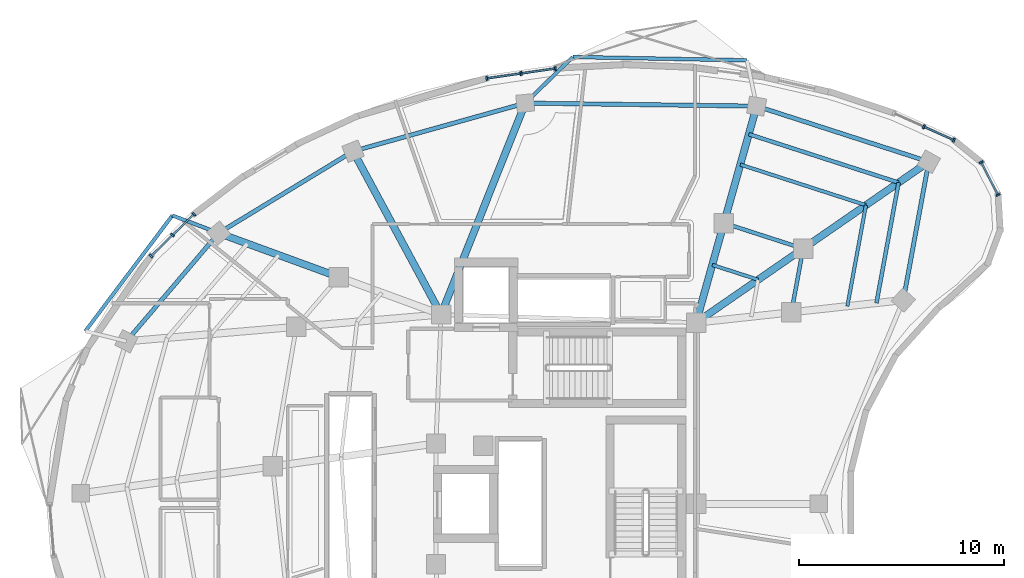
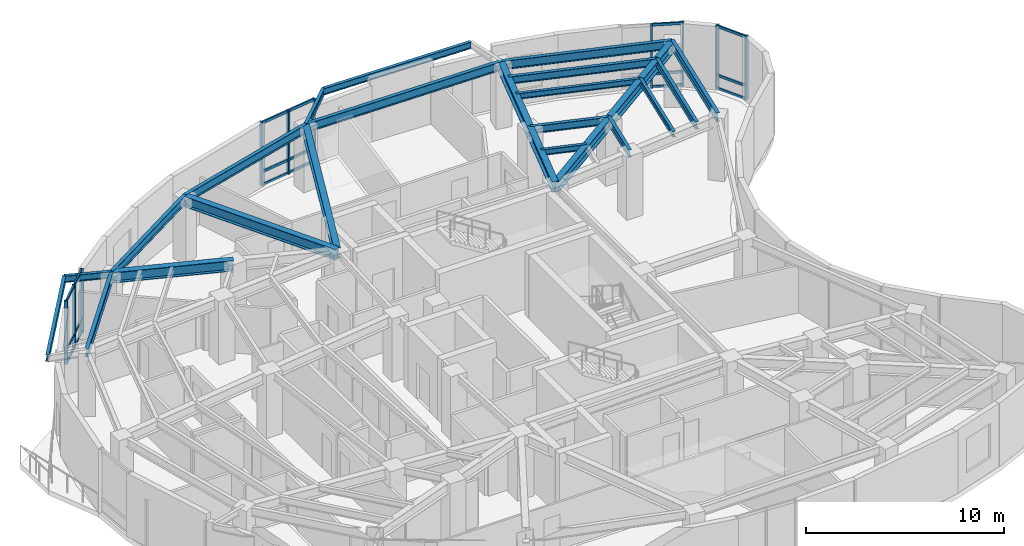
# One storey, part 5 of 14: 28 members, 24 beams, 4 elements without a shape of their own.
"""IFC4 building model written with IfcOpenShell, lengths in metres."""

from ifc_helpers import new_model, si_unit, direction, frame, origin, origin_2d, place, context, subcontext, project, spatial, rectangle, i_section, extrude, material, layer, layer_set, material_profile, profile_set, type_object, element, aggregate, save


model = new_model("IFC4")

# Units and contexts
model_context = context("Model", 3, precision=1e-05, world=origin(), true_north=direction((0.0, 1.0)))
body_context = subcontext(model_context, "Body", "Model", "MODEL_VIEW")
ifc_project = project(units=[si_unit("LENGTHUNIT", "METRE"), si_unit("AREAUNIT", "SQUARE_METRE"), si_unit("VOLUMEUNIT", "CUBIC_METRE"), si_unit("PLANEANGLEUNIT", "RADIAN"), si_unit("MASSUNIT", "GRAM", prefix="KILO")], contexts=[model_context])

# Site, building, storey
site_placement = place(None, origin())
site = spatial("IfcSite", under=ifc_project, at=site_placement, CompositionType="ELEMENT")
building_placement = place(site_placement, origin())
building = spatial("IfcBuilding", under=site, at=building_placement, Name="Korentha Bioscience Tower", CompositionType="ELEMENT")
storey_placement = place(building_placement, frame((0.0, 0.0, 247.800048828125)))
storey = spatial("IfcBuildingStorey", under=building, at=storey_placement, Name="L57", CompositionType="ELEMENT", Elevation=247.800048828125)

# Beams
ifc_material_1 = material(Name="Steel S355", Category="steel")
ifc_material_profile_1 = material_profile(ifc_material_1, i_section(OverallWidth=0.18994140625, OverallDepth=0.45703125, WebThickness=0.009033203125, FlangeThickness=0.014404296875, at=origin_2d()), Name="Steel S355")
ifc_profile_set_1 = profile_set([ifc_material_profile_1], Name="Steel S355 (MB-460)")
beam_type_1 = type_object("IfcBeamType", Name="Mid-Ring Tie Girder W460x74", PredefinedType="BEAM", material=ifc_profile_set_1)
beam_1_placement = place(storey_placement, frame((42.77685546875, 39.464599609375, 3.67138671875), z_axis=(-0.951528341902, 0.307561074514, 0.0), x_axis=(-0.307561074514, -0.951528341902, 0.0)))
element("IfcBeam", 1, at=beam_1_placement, inside=storey, type_object=beam_type_1, Name="L57 Mid-Ring Tie Girder 01", PredefinedType="BEAM", context=body_context, shape_type="SweptSolid", body=[
    extrude(i_section(OverallWidth=0.18994140625, OverallDepth=0.45703125, WebThickness=0.009033203125, FlangeThickness=0.014404296875, at=origin_2d()), origin(), (0.0, 0.0, 1.0), 4.062744140625),
])
beam_2_placement = place(storey_placement, frame((42.205078125, 36.357177734375, 3.67138671875), z_axis=(0.180965758034, 0.983489397207, 0.0), x_axis=(-0.983489397207, 0.180965758034, 0.0)))
element("IfcBeam", 2, at=beam_2_placement, inside=storey, type_object=beam_type_1, Name="L57 Mid-Ring Tie Girder 16", PredefinedType="BEAM", context=body_context, shape_type="SweptSolid", body=[
    extrude(i_section(OverallWidth=0.18994140625, OverallDepth=0.45703125, WebThickness=0.009033203125, FlangeThickness=0.014404296875, at=origin_2d()), origin(), (0.0, 0.0, 1.0), 3.15966796875),
])

# Curtain wall, members
ifc_material_2 = material(Name="Thermally Broken Aluminium Frame", Category="aluminium")
ifc_layer = layer(ifc_material_2, 0.219970703125, Name="Thermally Broken Aluminium Frame")
ifc_layer_set = layer_set([ifc_layer], Name="Thermally Broken Aluminium Frame (CW-T1)")
curtain_wall_type = type_object("IfcCurtainWallType", Name="Standard Bioscience Lab Unitised Curtain Wall CW-T1", PredefinedType="USERDEFINED", material=ifc_layer_set)
curtain_wall_1_placement = place(storey_placement, origin())
curtain_wall_1 = element("IfcCurtainWall", 3, at=curtain_wall_1_placement, inside=storey, type_object=curtain_wall_type, Name="L57 Curtain Wall 01", ObjectType="UNITISED", PredefinedType="USERDEFINED")
ifc_material_3 = material(Name="Anodised Aluminium 6063-T6", Category="aluminium")
ifc_material_profile_2 = material_profile(ifc_material_3, rectangle(XDim=0.090087890625, YDim=0.199951171875, at=origin_2d()), Name="Anodised Aluminium 6063-T6")
ifc_profile_set_2 = profile_set([ifc_material_profile_2], Name="Anodised Aluminium 6063-T6 (CW-MUL)")
member_type_1 = type_object("IfcMemberType", Name="Mullion RECT 90x200", PredefinedType="MULLION", material=ifc_profile_set_2)
member_1_placement = place(storey_placement, frame((50.13916015625, 44.75830078125, 0.0), z_axis=(0.0, 0.0, 1.0), x_axis=(-0.912621774183, 0.408804962405, 0.0)))
member_1 = element("IfcMember", 4, at=member_1_placement, type_object=member_type_1, Name="CW-L57-01 Mullion 1", PredefinedType="MULLION", context=body_context, shape_type="SweptSolid", body=[
    extrude(rectangle(XDim=0.090087890625, YDim=0.199951171875, at=origin_2d()), origin(), (0.0, 0.0, 1.0), 3.89990234375),
])
member_2_placement = place(storey_placement, frame((48.67138671875, 45.415771484375, 0.0), z_axis=(0.0, 0.0, 1.0), x_axis=(-0.912621774183, 0.408804962405, 0.0)))
member_2 = element("IfcMember", 5, at=member_2_placement, type_object=member_type_1, Name="CW-L57-01 Mullion 2", PredefinedType="MULLION", context=body_context, shape_type="SweptSolid", body=[
    extrude(rectangle(XDim=0.090087890625, YDim=0.199951171875, at=origin_2d()), origin(), (0.0, 0.0, 1.0), 3.89990234375),
])

curtain_wall_2_placement = place(storey_placement, origin())
curtain_wall_2 = element("IfcCurtainWall", 6, at=curtain_wall_2_placement, inside=storey, type_object=curtain_wall_type, Name="L57 Curtain Wall 07", ObjectType="UNITISED", PredefinedType="USERDEFINED")
member_3_placement = place(storey_placement, frame((30.67919921875, 48.25830078125, 0.0), z_axis=(0.0, 0.0, 1.0), x_axis=(-0.989728990307, -0.142956377076, 0.0)))
member_3 = element("IfcMember", 7, at=member_3_placement, type_object=member_type_1, Name="CW-L57-07 Mullion 1", PredefinedType="MULLION", context=body_context, shape_type="SweptSolid", body=[
    extrude(rectangle(XDim=0.090087890625, YDim=0.199951171875, at=origin_2d()), origin(), (0.0, 0.0, 1.0), 3.89990234375),
])
member_4_placement = place(storey_placement, frame((29.00439453125, 48.016357421875, 0.0), z_axis=(0.0, 0.0, 1.0), x_axis=(-0.989728990307, -0.142956377076, 0.0)))
member_4 = element("IfcMember", 8, at=member_4_placement, type_object=member_type_1, Name="CW-L57-07 Mullion 2", PredefinedType="MULLION", context=body_context, shape_type="SweptSolid", body=[
    extrude(rectangle(XDim=0.090087890625, YDim=0.199951171875, at=origin_2d()), origin(), (0.0, 0.0, 1.0), 3.89990234375),
])
member_5_placement = place(storey_placement, frame((27.329345703125, 47.7744140625, 0.0), z_axis=(0.0, 0.0, 1.0), x_axis=(-0.989728990307, -0.142956377076, 0.0)))
member_5 = element("IfcMember", 9, at=member_5_placement, type_object=member_type_1, Name="CW-L57-07 Mullion 3", PredefinedType="MULLION", context=body_context, shape_type="SweptSolid", body=[
    extrude(rectangle(XDim=0.090087890625, YDim=0.199951171875, at=origin_2d()), origin(), (0.0, 0.0, 1.0), 3.89990234375),
])

curtain_wall_3_placement = place(storey_placement, origin())
curtain_wall_3 = element("IfcCurtainWall", 10, at=curtain_wall_3_placement, inside=storey, type_object=curtain_wall_type, Name="L57 Curtain Wall 13", ObjectType="UNITISED", PredefinedType="USERDEFINED")
member_6_placement = place(storey_placement, frame((13.03125, 41.143310546875, 0.0), z_axis=(0.0, 0.0, 1.0), x_axis=(-0.715993919158, -0.698106516034, 0.0)))
member_6 = element("IfcMember", 11, at=member_6_placement, type_object=member_type_1, Name="CW-L57-13 Mullion 1", PredefinedType="MULLION", context=body_context, shape_type="SweptSolid", body=[
    extrude(rectangle(XDim=0.090087890625, YDim=0.199951171875, at=origin_2d()), origin(), (0.0, 0.0, 1.0), 3.89990234375),
])
member_7_placement = place(storey_placement, frame((11.98486328125, 40.123046875, 0.0), z_axis=(0.0, 0.0, 1.0), x_axis=(-0.715993919158, -0.698106516034, 0.0)))
member_7 = element("IfcMember", 12, at=member_7_placement, type_object=member_type_1, Name="CW-L57-13 Mullion 2", PredefinedType="MULLION", context=body_context, shape_type="SweptSolid", body=[
    extrude(rectangle(XDim=0.090087890625, YDim=0.199951171875, at=origin_2d()), origin(), (0.0, 0.0, 1.0), 3.89990234375),
])
member_8_placement = place(storey_placement, frame((10.938232421875, 39.1025390625, 0.0), z_axis=(0.0, 0.0, 1.0), x_axis=(-0.715993919158, -0.698106516034, 0.0)))
member_8 = element("IfcMember", 13, at=member_8_placement, type_object=member_type_1, Name="CW-L57-13 Mullion 3", PredefinedType="MULLION", context=body_context, shape_type="SweptSolid", body=[
    extrude(rectangle(XDim=0.090087890625, YDim=0.199951171875, at=origin_2d()), origin(), (0.0, 0.0, 1.0), 3.89990234375),
])

curtain_wall_4_placement = place(storey_placement, origin())
curtain_wall_4 = element("IfcCurtainWall", 14, at=curtain_wall_4_placement, inside=storey, type_object=curtain_wall_type, Name="L57 Curtain Wall 61", ObjectType="UNITISED", PredefinedType="USERDEFINED")
member_9_placement = place(storey_placement, frame((52.2958984375, 42.089599609375, 0.0), z_axis=(0.0, 0.0, 1.0), x_axis=(-0.457569503198, 0.889173857996, 0.0)))
member_9 = element("IfcMember", 15, at=member_9_placement, type_object=member_type_1, Name="CW-L57-61 Mullion 1", PredefinedType="MULLION", context=body_context, shape_type="SweptSolid", body=[
    extrude(rectangle(XDim=0.090087890625, YDim=0.199951171875, at=origin_2d()), origin(), (0.0, 0.0, 1.0), 3.89990234375),
])
member_10_placement = place(storey_placement, frame((51.4736328125, 43.6875, 0.0), z_axis=(0.0, 0.0, 1.0), x_axis=(-0.457569503198, 0.889173857996, 0.0)))
member_10 = element("IfcMember", 16, at=member_10_placement, type_object=member_type_1, Name="CW-L57-61 Mullion 2", PredefinedType="MULLION", context=body_context, shape_type="SweptSolid", body=[
    extrude(rectangle(XDim=0.090087890625, YDim=0.199951171875, at=origin_2d()), origin(), (0.0, 0.0, 1.0), 3.89990234375),
])

# Beams
ifc_material_profile_3 = material_profile(ifc_material_1, i_section(OverallWidth=0.208984375, OverallDepth=0.532958984375, WebThickness=0.01025390625, FlangeThickness=0.015625, at=origin_2d()), Name="Steel S355")
ifc_profile_set_3 = profile_set([ifc_material_profile_3], Name="Steel S355 (SB-530)")
beam_type_2 = type_object("IfcBeamType", Name="Perimeter Ring Spandrel Girder W530x92", PredefinedType="SPANDREL", material=ifc_profile_set_3)
beam_3_placement = place(storey_placement, frame((48.912841796875, 43.707763671875, 3.633544921875), z_axis=(-0.951540431246, 0.307523670151, 0.0), x_axis=(-0.307523670151, -0.951540431246, 0.0)))
element("IfcBeam", 17, at=beam_3_placement, inside=storey, type_object=beam_type_2, Name="L57 Perimeter Spandrel Girder 01", PredefinedType="SPANDREL", context=body_context, shape_type="SweptSolid", body=[
    extrude(i_section(OverallWidth=0.208984375, OverallDepth=0.532958984375, WebThickness=0.01025390625, FlangeThickness=0.015625, at=origin_2d()), origin(), (0.0, 0.0, 1.0), 8.83203125),
])
beam_4_placement = place(storey_placement, frame((40.5087890625, 46.423828125, 3.633544921875), z_axis=(-0.999915413236, 0.013006397415, 0.0), x_axis=(-0.013006397415, -0.999915413236, 0.0)))
element("IfcBeam", 18, at=beam_4_placement, inside=storey, type_object=beam_type_2, Name="L57 Perimeter Spandrel Girder 02", PredefinedType="SPANDREL", context=body_context, shape_type="SweptSolid", body=[
    extrude(i_section(OverallWidth=0.208984375, OverallDepth=0.532958984375, WebThickness=0.01025390625, FlangeThickness=0.015625, at=origin_2d()), origin(), (0.0, 0.0, 1.0), 11.300048828125),
])
beam_5_placement = place(storey_placement, frame((29.209716796875, 46.57080078125, 3.633544921875), z_axis=(-0.963069388381, -0.269253325258, 0.0), x_axis=(0.269253325258, -0.963069388381, 0.0)))
element("IfcBeam", 19, at=beam_5_placement, inside=storey, type_object=beam_type_2, Name="L57 Perimeter Spandrel Girder 03", PredefinedType="SPANDREL", context=body_context, shape_type="SweptSolid", body=[
    extrude(i_section(OverallWidth=0.208984375, OverallDepth=0.532958984375, WebThickness=0.01025390625, FlangeThickness=0.015625, at=origin_2d()), origin(), (0.0, 0.0, 1.0), 8.72900390625),
])
beam_6_placement = place(storey_placement, frame((20.802978515625, 44.220458984375, 3.633544921875), z_axis=(-0.854346933574, -0.519703104755, 0.0), x_axis=(0.519703104755, -0.854346933574, 0.0)))
element("IfcBeam", 20, at=beam_6_placement, inside=storey, type_object=beam_type_2, Name="L57 Perimeter Spandrel Girder 04", PredefinedType="SPANDREL", context=body_context, shape_type="SweptSolid", body=[
    extrude(i_section(OverallWidth=0.208984375, OverallDepth=0.532958984375, WebThickness=0.01025390625, FlangeThickness=0.015625, at=origin_2d()), origin(), (0.0, 0.0, 1.0), 7.687255859375),
])
beam_7_placement = place(storey_placement, frame((14.2353515625, 40.225341796875, 3.633544921875), z_axis=(-0.648430983047, -0.76127344642, 0.0), x_axis=(0.76127344642, -0.648430983047, 0.0)))
element("IfcBeam", 21, at=beam_7_placement, inside=storey, type_object=beam_type_2, Name="L57 Perimeter Spandrel Girder 05", PredefinedType="SPANDREL", context=body_context, shape_type="SweptSolid", body=[
    extrude(i_section(OverallWidth=0.208984375, OverallDepth=0.532958984375, WebThickness=0.01025390625, FlangeThickness=0.015625, at=origin_2d()), origin(), (0.0, 0.0, 1.0), 6.94287109375),
])
beam_8_placement = place(storey_placement, frame((47.669921875, 36.95263671875, 3.633544921875), z_axis=(0.180958869982, 0.98349066461, 0.0), x_axis=(-0.98349066461, 0.180958869982, 0.0)))
element("IfcBeam", 22, at=beam_8_placement, inside=storey, type_object=beam_type_2, Name="L57 Perimeter Spandrel Girder 16", PredefinedType="SPANDREL", context=body_context, shape_type="SweptSolid", body=[
    extrude(i_section(OverallWidth=0.208984375, OverallDepth=0.532958984375, WebThickness=0.01025390625, FlangeThickness=0.015625, at=origin_2d()), origin(), (0.0, 0.0, 1.0), 6.868408203125),
])
ifc_material_profile_4 = material_profile(ifc_material_1, i_section(OverallWidth=0.18994140625, OverallDepth=0.45703125, WebThickness=0.009033203125, FlangeThickness=0.014404296875, at=origin_2d()), Name="Steel S355")
ifc_profile_set_4 = profile_set([ifc_material_profile_4], Name="Steel S355 (RB-460)")
beam_type_3 = type_object("IfcBeamType", Name="Radial Laboratory Beam W460x74", PredefinedType="BEAM", material=ifc_profile_set_4)
beam_9_placement = place(storey_placement, frame((47.440185546875, 42.689208984375, 3.67138671875), z_axis=(-0.951530655781, 0.307553915777, 0.0), x_axis=(-0.307553915777, -0.951530655781, 0.0)))
element("IfcBeam", 23, at=beam_9_placement, inside=storey, type_object=beam_type_3, Name="L57 Secondary Floor Beam JSTO-01", PredefinedType="BEAM", context=body_context, shape_type="SweptSolid", body=[
    extrude(i_section(OverallWidth=0.18994140625, OverallDepth=0.45703125, WebThickness=0.009033203125, FlangeThickness=0.014404296875, at=origin_2d()), origin(), (0.0, 0.0, 1.0), 7.687255859375),
])
beam_10_placement = place(storey_placement, frame((46.3583984375, 36.809814453125, 3.67138671875), z_axis=(0.18095869438, 0.98349069692, 0.0), x_axis=(-0.98349069692, 0.18095869438, 0.0)))
element("IfcBeam", 24, at=beam_10_placement, inside=storey, type_object=beam_type_3, Name="L57 Secondary Floor Beam JSTO-16", PredefinedType="BEAM", context=body_context, shape_type="SweptSolid", body=[
    extrude(i_section(OverallWidth=0.18994140625, OverallDepth=0.45703125, WebThickness=0.009033203125, FlangeThickness=0.014404296875, at=origin_2d()), origin(), (0.0, 0.0, 1.0), 5.97802734375),
])
ifc_material_profile_5 = material_profile(ifc_material_1, i_section(OverallWidth=0.35009765625, OverallDepth=0.64990234375, WebThickness=0.01611328125, FlangeThickness=0.02490234375, at=origin_2d()), Name="Steel S355")
ifc_profile_set_5 = profile_set([ifc_material_profile_5], Name="Steel S355 (RB-650)")
beam_type_4 = type_object("IfcBeamType", Name="Radial Laboratory Girder CVS 650x208", PredefinedType="BEAM", material=ifc_profile_set_5)
beam_11_placement = place(storey_placement, frame((37.550048828125, 35.85009765625, 3.574951171875), z_axis=(0.822490816724, 0.568778389537, 0.0), x_axis=(-0.568778389537, 0.822490816724, 0.0)))
element("IfcBeam", 25, at=beam_11_placement, inside=storey, type_object=beam_type_4, Name="L57 Inner Radial Girder 01", PredefinedType="BEAM", context=body_context, shape_type="SweptSolid", body=[
    extrude(i_section(OverallWidth=0.35009765625, OverallDepth=0.64990234375, WebThickness=0.01611328125, FlangeThickness=0.02490234375, at=origin_2d()), origin(), (0.0, 0.0, 1.0), 6.354736328125),
])
beam_12_placement = place(storey_placement, frame((42.77685546875, 39.464599609375, 3.574951171875), z_axis=(0.822494853441, 0.568772552135, 0.0), x_axis=(-0.568772552135, 0.822494853441, 0.0)))
element("IfcBeam", 26, at=beam_12_placement, inside=storey, type_object=beam_type_4, Name="L57 Outer Radial Girder 01", PredefinedType="BEAM", context=body_context, shape_type="SweptSolid", body=[
    extrude(i_section(OverallWidth=0.35009765625, OverallDepth=0.64990234375, WebThickness=0.01611328125, FlangeThickness=0.02490234375, at=origin_2d()), origin(), (0.0, 0.0, 1.0), 7.460205078125),
])
beam_13_placement = place(storey_placement, frame((37.550048828125, 35.85009765625, 3.574951171875), z_axis=(0.269475733077, 0.963007180286, 0.0), x_axis=(-0.963007180286, 0.269475733077, 0.0)))
element("IfcBeam", 27, at=beam_13_placement, inside=storey, type_object=beam_type_4, Name="L57 Inner Radial Girder 02", PredefinedType="BEAM", context=body_context, shape_type="SweptSolid", body=[
    extrude(i_section(OverallWidth=0.35009765625, OverallDepth=0.64990234375, WebThickness=0.01611328125, FlangeThickness=0.02490234375, at=origin_2d()), origin(), (0.0, 0.0, 1.0), 5.05078125),
])
beam_14_placement = place(storey_placement, frame((38.9111328125, 40.714111328125, 3.574951171875), z_axis=(0.269463441067, 0.963010619842, 0.0), x_axis=(-0.963010619842, 0.269463441067, 0.0)))
element("IfcBeam", 28, at=beam_14_placement, inside=storey, type_object=beam_type_4, Name="L57 Outer Radial Girder 02", PredefinedType="BEAM", context=body_context, shape_type="SweptSolid", body=[
    extrude(i_section(OverallWidth=0.35009765625, OverallDepth=0.64990234375, WebThickness=0.01611328125, FlangeThickness=0.02490234375, at=origin_2d()), origin(), (0.0, 0.0, 1.0), 5.928955078125),
])
beam_15_placement = place(storey_placement, frame((25.10009765625, 36.25, 3.574951171875), z_axis=(0.369938982304, 0.929056052869, 0.0), x_axis=(-0.929056052869, 0.369938982304, 0.0)))
element("IfcBeam", 29, at=beam_15_placement, inside=storey, type_object=beam_type_4, Name="L57 Radial Girder 03", PredefinedType="BEAM", context=body_context, shape_type="SweptSolid", body=[
    extrude(i_section(OverallWidth=0.35009765625, OverallDepth=0.64990234375, WebThickness=0.01611328125, FlangeThickness=0.02490234375, at=origin_2d()), origin(), (0.0, 0.0, 1.0), 11.10888671875),
])
beam_16_placement = place(storey_placement, frame((25.10009765625, 36.25, 3.574951171875), z_axis=(-0.47455638006, 0.88022510879, 0.0), x_axis=(-0.88022510879, -0.47455638006, 0.0)))
element("IfcBeam", 30, at=beam_16_placement, inside=storey, type_object=beam_type_4, Name="L57 Radial Girder 04", PredefinedType="BEAM", context=body_context, shape_type="SweptSolid", body=[
    extrude(i_section(OverallWidth=0.35009765625, OverallDepth=0.64990234375, WebThickness=0.01611328125, FlangeThickness=0.02490234375, at=origin_2d()), origin(), (0.0, 0.0, 1.0), 9.054931640625),
])
beam_17_placement = place(storey_placement, frame((20.102294921875, 38.07861328125, 3.574951171875), z_axis=(-0.939108088977, 0.343621881169, 0.0), x_axis=(-0.343621881169, -0.939108088977, 0.0)))
element("IfcBeam", 31, at=beam_17_placement, inside=storey, type_object=beam_type_4, Name="L57 Outer Radial Girder 05", PredefinedType="BEAM", context=body_context, shape_type="SweptSolid", body=[
    extrude(i_section(OverallWidth=0.35009765625, OverallDepth=0.64990234375, WebThickness=0.01611328125, FlangeThickness=0.02490234375, at=origin_2d()), origin(), (0.0, 0.0, 1.0), 6.247314453125),
])
ifc_material_profile_6 = material_profile(ifc_material_1, i_section(OverallWidth=0.1708984375, OverallDepth=0.35498046875, WebThickness=0.007080078125, FlangeThickness=0.01171875, at=origin_2d()), Name="Steel S355")
ifc_profile_set_6 = profile_set([ifc_material_profile_6], Name="Steel S355 (JB-360)")
beam_type_5 = type_object("IfcBeamType", Name="Secondary Laboratory Joist W360x51", PredefinedType="JOIST", material=ifc_profile_set_6)
beam_18_placement = place(storey_placement, frame((45.844970703125, 41.586181640625, 3.722412109375), z_axis=(-0.951532872692, 0.307547056867, 0.0), x_axis=(-0.307547056867, -0.951532872692, 0.0)))
element("IfcBeam", 32, at=beam_18_placement, inside=storey, type_object=beam_type_5, Name="L57 Secondary Floor Beam JST-01", PredefinedType="JOIST", context=body_context, shape_type="SweptSolid", body=[
    extrude(i_section(OverallWidth=0.1708984375, OverallDepth=0.35498046875, WebThickness=0.007080078125, FlangeThickness=0.01171875, at=origin_2d()), origin(), (0.0, 0.0, 1.0), 6.447509765625),
])
beam_19_placement = place(storey_placement, frame((40.58154296875, 37.9462890625, 3.722412109375), z_axis=(-0.951514105526, 0.307605115343, 0.0), x_axis=(-0.307605115343, -0.951514105526, 0.0)))
element("IfcBeam", 33, at=beam_19_placement, inside=storey, type_object=beam_type_5, Name="L57 Inner Bay Joist 01", PredefinedType="JOIST", context=body_context, shape_type="SweptSolid", body=[
    extrude(i_section(OverallWidth=0.1708984375, OverallDepth=0.35498046875, WebThickness=0.007080078125, FlangeThickness=0.01171875, at=origin_2d()), origin(), (0.0, 0.0, 1.0), 2.3564453125),
])
beam_20_placement = place(storey_placement, frame((44.9375, 36.65478515625, 3.722412109375), z_axis=(0.180980255152, 0.983486729572, 0.0), x_axis=(-0.983486729572, 0.180980255152, 0.0)))
element("IfcBeam", 34, at=beam_20_placement, inside=storey, type_object=beam_type_5, Name="L57 Secondary Floor Beam JST-16", PredefinedType="JOIST", context=body_context, shape_type="SweptSolid", body=[
    extrude(i_section(OverallWidth=0.1708984375, OverallDepth=0.35498046875, WebThickness=0.007080078125, FlangeThickness=0.01171875, at=origin_2d()), origin(), (0.0, 0.0, 1.0), 5.01416015625),
])
ifc_material_profile_7 = material_profile(ifc_material_1, i_section(OverallWidth=0.177978515625, OverallDepth=0.406982421875, WebThickness=0.0078125, FlangeThickness=0.0126953125, at=origin_2d()), Name="Steel S355")
ifc_profile_set_7 = profile_set([ifc_material_profile_7], Name="Steel S355 (CB-410)")
beam_type_6 = type_object("IfcBeamType", Name="Sun-Ledge Cantilever Beam W410x60", PredefinedType="BEAM", material=ifc_profile_set_7)
beam_21_placement = place(storey_placement, frame((29.209716796875, 46.57080078125, 3.698486328125), z_axis=(0.717265361923, 0.696800115231, 0.0), x_axis=(-0.696800115231, 0.717265361923, 0.0)))
element("IfcBeam", 35, at=beam_21_placement, inside=storey, type_object=beam_type_6, Name="L57 Balcony Cantilever Bracket B-L58-01", PredefinedType="BEAM", context=body_context, shape_type="SweptSolid", body=[
    extrude(i_section(OverallWidth=0.177978515625, OverallDepth=0.406982421875, WebThickness=0.0078125, FlangeThickness=0.0126953125, at=origin_2d()), origin(), (0.0, 0.0, 1.0), 3.23291015625),
])
beam_22_placement = place(storey_placement, frame((40.03662109375, 48.660400390625, 3.698486328125), z_axis=(-0.999816336596, 0.019164891757, 0.0), x_axis=(-0.019164891757, -0.999816336596, 0.0)))
element("IfcBeam", 36, at=beam_22_placement, inside=storey, type_object=beam_type_6, Name="L57 Balcony Edge Trimmer Beam L58-01", PredefinedType="BEAM", context=body_context, shape_type="SweptSolid", body=[
    extrude(i_section(OverallWidth=0.177978515625, OverallDepth=0.406982421875, WebThickness=0.0078125, FlangeThickness=0.0126953125, at=origin_2d()), origin(), (0.0, 0.0, 1.0), 8.509521484375),
])
beam_23_placement = place(storey_placement, frame((14.2353515625, 40.225341796875, 3.698486328125), z_axis=(-0.934829877736, 0.355095902104, 0.0), x_axis=(-0.355095902104, -0.934829877736, 0.0)))
element("IfcBeam", 37, at=beam_23_placement, inside=storey, type_object=beam_type_6, Name="L57 Balcony Cantilever Bracket A-L58-02", PredefinedType="BEAM", context=body_context, shape_type="SweptSolid", body=[
    extrude(i_section(OverallWidth=0.177978515625, OverallDepth=0.406982421875, WebThickness=0.0078125, FlangeThickness=0.0126953125, at=origin_2d()), origin(), (0.0, 0.0, 1.0), 2.416015625),
])
beam_24_placement = place(storey_placement, frame((11.976806640625, 41.083251953125, 3.698486328125), z_axis=(-0.601226837329, -0.799078400456, 0.0), x_axis=(0.799078400456, -0.601226837329, 0.0)))
element("IfcBeam", 38, at=beam_24_placement, inside=storey, type_object=beam_type_6, Name="L57 Balcony Edge Trimmer Beam L58-02", PredefinedType="BEAM", context=body_context, shape_type="SweptSolid", body=[
    extrude(i_section(OverallWidth=0.177978515625, OverallDepth=0.406982421875, WebThickness=0.0078125, FlangeThickness=0.0126953125, at=origin_2d()), origin(), (0.0, 0.0, 1.0), 7.064453125),
])

# Member
ifc_material_profile_8 = material_profile(ifc_material_3, rectangle(XDim=0.090087890625, YDim=0.159912109375, at=origin_2d()), Name="Anodised Aluminium 6063-T6")
ifc_profile_set_8 = profile_set([ifc_material_profile_8], Name="Anodised Aluminium 6063-T6 (CW-TRN)")
member_type_2 = type_object("IfcMemberType", Name="Transom RECT 90x160", PredefinedType="USERDEFINED", material=ifc_profile_set_8)
member_11_placement = place(storey_placement, frame((50.09814453125, 44.776611328125, 0.044921875), z_axis=(-0.912594152791, 0.408866619194, 0.0), x_axis=(-0.408866619194, -0.912594152791, 0.0)))
member_11 = element("IfcMember", 39, at=member_11_placement, type_object=member_type_2, Name="CW-L57-01 Bay 1 Transom 1", ObjectType="TRANSOM", PredefinedType="USERDEFINED", context=body_context, shape_type="SweptSolid", body=[
    extrude(rectangle(XDim=0.090087890625, YDim=0.159912109375, at=origin_2d()), origin(), (0.0, 0.0, 1.0), 1.5185546875),
])

member_12_placement = place(storey_placement, frame((50.09814453125, 44.776611328125, 0.849853515625), z_axis=(-0.912594152791, 0.408866619194, 0.0), x_axis=(-0.408866619194, -0.912594152791, 0.0)))
member_12 = element("IfcMember", 40, at=member_12_placement, type_object=member_type_2, Name="CW-L57-01 Bay 1 Transom 2", ObjectType="TRANSOM", PredefinedType="USERDEFINED", context=body_context, shape_type="SweptSolid", body=[
    extrude(rectangle(XDim=0.090087890625, YDim=0.159912109375, at=origin_2d()), origin(), (0.0, 0.0, 1.0), 1.5185546875),
])

member_13_placement = place(storey_placement, frame((50.09814453125, 44.776611328125, 3.85498046875), z_axis=(-0.912594152791, 0.408866619194, 0.0), x_axis=(-0.408866619194, -0.912594152791, 0.0)))
member_13 = element("IfcMember", 41, at=member_13_placement, type_object=member_type_2, Name="CW-L57-01 Bay 1 Transom 3", ObjectType="TRANSOM", PredefinedType="USERDEFINED", context=body_context, shape_type="SweptSolid", body=[
    extrude(rectangle(XDim=0.090087890625, YDim=0.159912109375, at=origin_2d()), origin(), (0.0, 0.0, 1.0), 1.5185546875),
])

aggregate(curtain_wall_1, [member_1, member_2, member_11, member_12, member_13])

member_14_placement = place(storey_placement, frame((30.634521484375, 48.251708984375, 0.044921875), z_axis=(-0.989731950051, -0.142935884395, 0.0), x_axis=(0.142935884395, -0.989731950051, 0.0)))
member_14 = element("IfcMember", 42, at=member_14_placement, type_object=member_type_2, Name="CW-L57-07 Bay 1 Transom 1", ObjectType="TRANSOM", PredefinedType="USERDEFINED", context=body_context, shape_type="SweptSolid", body=[
    extrude(rectangle(XDim=0.090087890625, YDim=0.159912109375, at=origin_2d()), origin(), (0.0, 0.0, 1.0), 1.60205078125),
])

member_15_placement = place(storey_placement, frame((30.634521484375, 48.251708984375, 0.849853515625), z_axis=(-0.989731950051, -0.142935884395, 0.0), x_axis=(0.142935884395, -0.989731950051, 0.0)))
member_15 = element("IfcMember", 43, at=member_15_placement, type_object=member_type_2, Name="CW-L57-07 Bay 1 Transom 2", ObjectType="TRANSOM", PredefinedType="USERDEFINED", context=body_context, shape_type="SweptSolid", body=[
    extrude(rectangle(XDim=0.090087890625, YDim=0.159912109375, at=origin_2d()), origin(), (0.0, 0.0, 1.0), 1.60205078125),
])

member_16_placement = place(storey_placement, frame((30.634521484375, 48.251708984375, 3.85498046875), z_axis=(-0.989731950051, -0.142935884395, 0.0), x_axis=(0.142935884395, -0.989731950051, 0.0)))
member_16 = element("IfcMember", 44, at=member_16_placement, type_object=member_type_2, Name="CW-L57-07 Bay 1 Transom 3", ObjectType="TRANSOM", PredefinedType="USERDEFINED", context=body_context, shape_type="SweptSolid", body=[
    extrude(rectangle(XDim=0.090087890625, YDim=0.159912109375, at=origin_2d()), origin(), (0.0, 0.0, 1.0), 1.60205078125),
])

member_17_placement = place(storey_placement, frame((28.959716796875, 48.010009765625, 0.044921875), z_axis=(-0.989731950051, -0.142935884395, 0.0), x_axis=(0.142935884395, -0.989731950051, 0.0)))
member_17 = element("IfcMember", 45, at=member_17_placement, type_object=member_type_2, Name="CW-L57-07 Bay 2 Transom 1", ObjectType="TRANSOM", PredefinedType="USERDEFINED", context=body_context, shape_type="SweptSolid", body=[
    extrude(rectangle(XDim=0.090087890625, YDim=0.159912109375, at=origin_2d()), origin(), (0.0, 0.0, 1.0), 1.60205078125),
])

member_18_placement = place(storey_placement, frame((28.959716796875, 48.010009765625, 0.849853515625), z_axis=(-0.989731950051, -0.142935884395, 0.0), x_axis=(0.142935884395, -0.989731950051, 0.0)))
member_18 = element("IfcMember", 46, at=member_18_placement, type_object=member_type_2, Name="CW-L57-07 Bay 2 Transom 2", ObjectType="TRANSOM", PredefinedType="USERDEFINED", context=body_context, shape_type="SweptSolid", body=[
    extrude(rectangle(XDim=0.090087890625, YDim=0.159912109375, at=origin_2d()), origin(), (0.0, 0.0, 1.0), 1.60205078125),
])

member_19_placement = place(storey_placement, frame((28.959716796875, 48.010009765625, 3.85498046875), z_axis=(-0.989731950051, -0.142935884395, 0.0), x_axis=(0.142935884395, -0.989731950051, 0.0)))
member_19 = element("IfcMember", 47, at=member_19_placement, type_object=member_type_2, Name="CW-L57-07 Bay 2 Transom 3", ObjectType="TRANSOM", PredefinedType="USERDEFINED", context=body_context, shape_type="SweptSolid", body=[
    extrude(rectangle(XDim=0.090087890625, YDim=0.159912109375, at=origin_2d()), origin(), (0.0, 0.0, 1.0), 1.60205078125),
])

aggregate(curtain_wall_2, [member_3, member_4, member_5, member_14, member_15, member_16, member_17, member_18, member_19])

member_20_placement = place(storey_placement, frame((12.9990234375, 41.112060546875, 0.044921875), z_axis=(-0.71586223021, -0.698241553733, 0.0), x_axis=(0.698241553733, -0.71586223021, 0.0)))
member_20 = element("IfcMember", 48, at=member_20_placement, type_object=member_type_2, Name="CW-L57-13 Bay 1 Transom 1", ObjectType="TRANSOM", PredefinedType="USERDEFINED", context=body_context, shape_type="SweptSolid", body=[
    extrude(rectangle(XDim=0.090087890625, YDim=0.159912109375, at=origin_2d()), origin(), (0.0, 0.0, 1.0), 1.37158203125),
])

member_21_placement = place(storey_placement, frame((12.9990234375, 41.112060546875, 0.849853515625), z_axis=(-0.71586223021, -0.698241553733, 0.0), x_axis=(0.698241553733, -0.71586223021, 0.0)))
member_21 = element("IfcMember", 49, at=member_21_placement, type_object=member_type_2, Name="CW-L57-13 Bay 1 Transom 2", ObjectType="TRANSOM", PredefinedType="USERDEFINED", context=body_context, shape_type="SweptSolid", body=[
    extrude(rectangle(XDim=0.090087890625, YDim=0.159912109375, at=origin_2d()), origin(), (0.0, 0.0, 1.0), 1.37158203125),
])

member_22_placement = place(storey_placement, frame((12.9990234375, 41.112060546875, 3.85498046875), z_axis=(-0.71586223021, -0.698241553733, 0.0), x_axis=(0.698241553733, -0.71586223021, 0.0)))
member_22 = element("IfcMember", 50, at=member_22_placement, type_object=member_type_2, Name="CW-L57-13 Bay 1 Transom 3", ObjectType="TRANSOM", PredefinedType="USERDEFINED", context=body_context, shape_type="SweptSolid", body=[
    extrude(rectangle(XDim=0.090087890625, YDim=0.159912109375, at=origin_2d()), origin(), (0.0, 0.0, 1.0), 1.37158203125),
])

member_23_placement = place(storey_placement, frame((11.952392578125, 40.091552734375, 0.044921875), z_axis=(-0.715951201139, -0.698150325924, 0.0), x_axis=(0.698150325924, -0.715951201139, 0.0)))
member_23 = element("IfcMember", 51, at=member_23_placement, type_object=member_type_2, Name="CW-L57-13 Bay 2 Transom 1", ObjectType="TRANSOM", PredefinedType="USERDEFINED", context=body_context, shape_type="SweptSolid", body=[
    extrude(rectangle(XDim=0.090087890625, YDim=0.159912109375, at=origin_2d()), origin(), (0.0, 0.0, 1.0), 1.37158203125),
])

member_24_placement = place(storey_placement, frame((11.952392578125, 40.091552734375, 0.849853515625), z_axis=(-0.715951201139, -0.698150325924, 0.0), x_axis=(0.698150325924, -0.715951201139, 0.0)))
member_24 = element("IfcMember", 52, at=member_24_placement, type_object=member_type_2, Name="CW-L57-13 Bay 2 Transom 2", ObjectType="TRANSOM", PredefinedType="USERDEFINED", context=body_context, shape_type="SweptSolid", body=[
    extrude(rectangle(XDim=0.090087890625, YDim=0.159912109375, at=origin_2d()), origin(), (0.0, 0.0, 1.0), 1.37158203125),
])

member_25_placement = place(storey_placement, frame((11.952392578125, 40.091552734375, 3.85498046875), z_axis=(-0.715951201139, -0.698150325924, 0.0), x_axis=(0.698150325924, -0.715951201139, 0.0)))
member_25 = element("IfcMember", 53, at=member_25_placement, type_object=member_type_2, Name="CW-L57-13 Bay 2 Transom 3", ObjectType="TRANSOM", PredefinedType="USERDEFINED", context=body_context, shape_type="SweptSolid", body=[
    extrude(rectangle(XDim=0.090087890625, YDim=0.159912109375, at=origin_2d()), origin(), (0.0, 0.0, 1.0), 1.37158203125),
])

aggregate(curtain_wall_3, [member_6, member_7, member_8, member_20, member_21, member_22, member_23, member_24, member_25])

member_26_placement = place(storey_placement, frame((52.275390625, 42.129638671875, 0.044921875), z_axis=(-0.457480490139, 0.889219658545, 0.0), x_axis=(-0.889219658545, -0.457480490139, 0.0)))
member_26 = element("IfcMember", 54, at=member_26_placement, type_object=member_type_2, Name="CW-L57-61 Bay 1 Transom 1", ObjectType="TRANSOM", PredefinedType="USERDEFINED", context=body_context, shape_type="SweptSolid", body=[
    extrude(rectangle(XDim=0.090087890625, YDim=0.159912109375, at=origin_2d()), origin(), (0.0, 0.0, 1.0), 1.707275390625),
])

member_27_placement = place(storey_placement, frame((52.275390625, 42.129638671875, 0.849853515625), z_axis=(-0.457480490139, 0.889219658545, 0.0), x_axis=(-0.889219658545, -0.457480490139, 0.0)))
member_27 = element("IfcMember", 55, at=member_27_placement, type_object=member_type_2, Name="CW-L57-61 Bay 1 Transom 2", ObjectType="TRANSOM", PredefinedType="USERDEFINED", context=body_context, shape_type="SweptSolid", body=[
    extrude(rectangle(XDim=0.090087890625, YDim=0.159912109375, at=origin_2d()), origin(), (0.0, 0.0, 1.0), 1.707275390625),
])

member_28_placement = place(storey_placement, frame((52.275390625, 42.129638671875, 3.85498046875), z_axis=(-0.457480490139, 0.889219658545, 0.0), x_axis=(-0.889219658545, -0.457480490139, 0.0)))
member_28 = element("IfcMember", 56, at=member_28_placement, type_object=member_type_2, Name="CW-L57-61 Bay 1 Transom 3", ObjectType="TRANSOM", PredefinedType="USERDEFINED", context=body_context, shape_type="SweptSolid", body=[
    extrude(rectangle(XDim=0.090087890625, YDim=0.159912109375, at=origin_2d()), origin(), (0.0, 0.0, 1.0), 1.707275390625),
])

aggregate(curtain_wall_4, [member_9, member_10, member_26, member_27, member_28])

save(model, "model.ifc")
